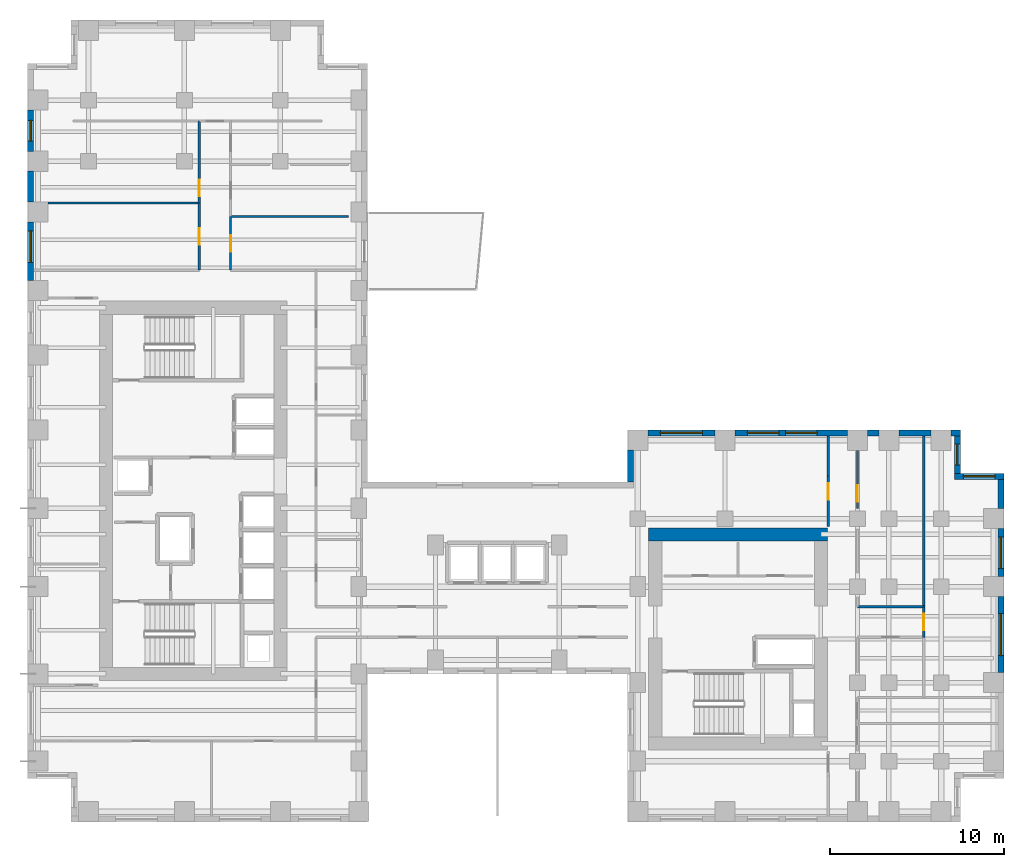
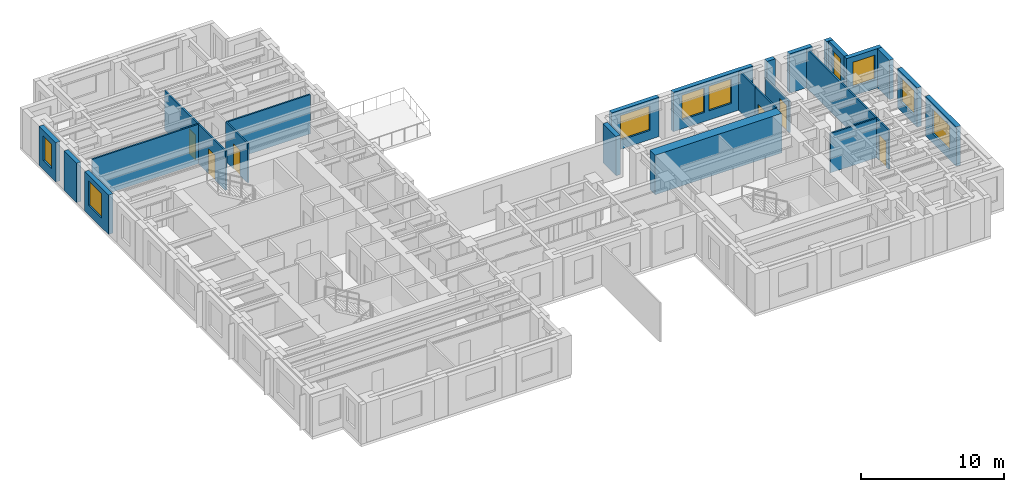
# One storey, part 8 of 11: 26 walls, 9 windows, 6 doors, 15 openings.
"""IFC4 building model written with IfcOpenShell, lengths in metres."""

from ifc_helpers import new_model, si_unit, direction, frame, frame_2d, origin, place, context, subcontext, project, spatial, rectangle, extrude, source, transform, mapped, material, layer, layer_set, type_object, element, fill, save


model = new_model("IFC4")

# Units and contexts
model_context = context("Model", 3, precision=1e-05, world=origin(), true_north=direction((0.0, 1.0)))
body_context = subcontext(model_context, "Body", "Model", "MODEL_VIEW")
ifc_project = project(units=[si_unit("LENGTHUNIT", "METRE"), si_unit("AREAUNIT", "SQUARE_METRE"), si_unit("VOLUMEUNIT", "CUBIC_METRE"), si_unit("PLANEANGLEUNIT", "RADIAN"), si_unit("MASSUNIT", "GRAM", prefix="KILO")], contexts=[model_context])

# Site, building, storey
site_placement = place(None, origin())
site = spatial("IfcSite", under=ifc_project, at=site_placement, CompositionType="ELEMENT")
building_placement = place(site_placement, origin())
building = spatial("IfcBuilding", under=site, at=building_placement, Name="Kharzan Plaza Tower", CompositionType="ELEMENT")
storey_placement = place(building_placement, frame((0.0, 0.0, 127.800048828125)))
storey = spatial("IfcBuildingStorey", under=building, at=storey_placement, Name="L34", CompositionType="ELEMENT", Elevation=127.800048828125)

# Wall, opening, window
ifc_material_1 = material(Name="Concrete C40/50", Category="concrete")
ifc_layer_1 = layer(ifc_material_1, 0.35009765625)
ifc_layer_set_1 = layer_set([ifc_layer_1], Name="Concrete C40/50")
wall_type_1 = type_object("IfcWallType", Name="WL-EXT-MAS-Z2", PredefinedType="SOLIDWALL", material=ifc_layer_set_1)
wall_1_placement = place(storey_placement, frame((0.175048828125, 40.826904296875, 0.0), z_axis=(0.0, 0.0, 1.0), x_axis=(0.0, -1.0, 0.0)))
wall_1 = element("IfcWall", 1, at=wall_1_placement, inside=storey, type_object=wall_type_1, Name="L34 Masonry-Frame Exterior Wall 17", PredefinedType="SOLIDWALL", context=body_context, shape_type="SweptSolid", body=[
    extrude(rectangle(XDim=2.35400390625, YDim=0.35009765625, at=frame_2d((1.177001953125, 0.0))), origin(), (0.0, 0.0, 1.0), 3.364990234375),
])
opening_1_placement = place(wall_1_placement, frame((0.576904296875, 0.0, 0.780029296875)))
opening_1 = element("IfcOpeningElement", 2, at=opening_1_placement, cuts=wall_1, Name="Opening W3", PredefinedType="OPENING", context=body_context, shape_type="SweptSolid", body=[
    extrude(rectangle(XDim=1.199951171875, YDim=2.10009765625, at=frame_2d((0.60009765625, 1.050048828125))), frame((0.0, 0.18505859375, 0.0), z_axis=(0.0, -1.0, 0.0), x_axis=(1.0, 0.0, 0.0)), (0.0, 0.0, 1.0), 0.3701171875),
])
ifc_material_2 = material(Name="Low-E Double Glazing", Category="glass")
window_type_1 = type_object("IfcWindowType", Name="WN-REC-1200x2100", PartitioningType="SINGLE_PANEL", PredefinedType="WINDOW", material=ifc_material_2)
shared_shape_1 = source(origin(), body_context, "Body", "SweptSolid", [
    extrude(rectangle(XDim=1.199951171875, YDim=2.10009765625, at=frame_2d((0.60009765625, 1.050048828125))), frame((0.0, 0.030029296875, 0.0), z_axis=(0.0, -1.0, 0.0), x_axis=(1.0, 0.0, 0.0)), (0.0, 0.0, 1.0), 0.06005859375),
])
window_1_placement = place(opening_1_placement, origin())
window_1 = element("IfcWindow", 3, at=window_1_placement, inside=storey, type_object=window_type_1, Name="L34 Recessed Solar-Control Window 17-1", OverallHeight=2.10009765625, OverallWidth=1.199951171875, PartitioningType="SINGLE_PANEL", PredefinedType="WINDOW", context=body_context, shape_type="MappedRepresentation", body=[
    mapped(shared_shape_1, transform((0.0, 0.0, 0.0), x_axis=(1.0, 0.0, 0.0), y_axis=(0.0, 1.0, 0.0), z_axis=(0.0, 0.0, 1.0))),
])
fill(opening_1, window_1)

wall_2_placement = place(storey_placement, frame((0.175048828125, 34.427001953125, 0.0), z_axis=(0.0, 0.0, 1.0), x_axis=(0.0, -1.0, 0.0)))
wall_2 = element("IfcWall", 4, at=wall_2_placement, inside=storey, type_object=wall_type_1, Name="L34 Masonry-Frame Exterior Wall 19", PredefinedType="SOLIDWALL", context=body_context, shape_type="SweptSolid", body=[
    extrude(rectangle(XDim=3.35400390625, YDim=0.35009765625, at=frame_2d((1.677001953125, 0.0))), origin(), (0.0, 0.0, 1.0), 3.364990234375),
])
opening_2_placement = place(wall_2_placement, frame((0.5234375, 0.0, 0.780029296875)))
opening_2 = element("IfcOpeningElement", 5, at=opening_2_placement, cuts=wall_2, Name="Opening W1", PredefinedType="OPENING", context=body_context, shape_type="SweptSolid", body=[
    extrude(rectangle(XDim=1.800048828125, YDim=2.10009765625, at=frame_2d((0.89990234375, 1.050048828125))), frame((0.0, 0.18505859375, 0.0), z_axis=(0.0, -1.0, 0.0), x_axis=(1.0, 0.0, 0.0)), (0.0, 0.0, 1.0), 0.3701171875),
])
window_type_2 = type_object("IfcWindowType", Name="WN-REC-1800x2100", PartitioningType="SINGLE_PANEL", PredefinedType="WINDOW", material=ifc_material_2)
shared_shape_2 = source(origin(), body_context, "Body", "SweptSolid", [
    extrude(rectangle(XDim=1.800048828125, YDim=2.10009765625, at=frame_2d((0.89990234375, 1.050048828125))), frame((0.0, 0.030029296875, 0.0), z_axis=(0.0, -1.0, 0.0), x_axis=(1.0, 0.0, 0.0)), (0.0, 0.0, 1.0), 0.06005859375),
])
window_2_placement = place(opening_2_placement, origin())
window_2 = element("IfcWindow", 6, at=window_2_placement, inside=storey, type_object=window_type_2, Name="L34 Recessed Solar-Control Window 19-1", OverallHeight=2.10009765625, OverallWidth=1.800048828125, PartitioningType="SINGLE_PANEL", PredefinedType="WINDOW", context=body_context, shape_type="MappedRepresentation", body=[
    mapped(shared_shape_2, transform((0.0, 0.0, 0.0), x_axis=(1.0, 0.0, 0.0), y_axis=(0.0, 1.0, 0.0), z_axis=(0.0, 0.0, 1.0))),
])
fill(opening_2, window_2)

wall_3_placement = place(storey_placement, frame((55.824951171875, 8.572998046875, 0.0), z_axis=(0.0, 0.0, 1.0), x_axis=(0.0, 1.0, 0.0)))
wall_3 = element("IfcWall", 7, at=wall_3_placement, inside=storey, type_object=wall_type_1, Name="L34 Masonry-Frame Exterior Wall 47", PredefinedType="SOLIDWALL", context=body_context, shape_type="SweptSolid", body=[
    extrude(rectangle(XDim=4.35400390625, YDim=0.35009765625, at=frame_2d((2.177001953125, 0.0))), origin(), (0.0, 0.0, 1.0), 3.364990234375),
])
opening_3_placement = place(wall_3_placement, frame((0.97705078125, 0.0, 0.780029296875)))
opening_3 = element("IfcOpeningElement", 8, at=opening_3_placement, cuts=wall_3, Name="Opening W2", PredefinedType="OPENING", context=body_context, shape_type="SweptSolid", body=[
    extrude(rectangle(XDim=2.39990234375, YDim=2.10009765625, at=frame_2d((1.199951171875, 1.050048828125))), frame((0.0, 0.18505859375, 0.0), z_axis=(0.0, -1.0, 0.0), x_axis=(1.0, 0.0, 0.0)), (0.0, 0.0, 1.0), 0.3701171875),
])
window_type_3 = type_object("IfcWindowType", Name="WN-REC-2400x2100", PartitioningType="SINGLE_PANEL", PredefinedType="WINDOW", material=ifc_material_2)
shared_shape_3 = source(origin(), body_context, "Body", "SweptSolid", [
    extrude(rectangle(XDim=2.39990234375, YDim=2.10009765625, at=frame_2d((1.199951171875, 1.050048828125))), frame((0.0, 0.030029296875, 0.0), z_axis=(0.0, -1.0, 0.0), x_axis=(1.0, 0.0, 0.0)), (0.0, 0.0, 1.0), 0.06005859375),
])
window_3_placement = place(opening_3_placement, origin())
window_3 = element("IfcWindow", 9, at=window_3_placement, inside=storey, type_object=window_type_3, Name="L34 Wide Recessed Solar-Control Window 47-1", OverallHeight=2.10009765625, OverallWidth=2.39990234375, PartitioningType="SINGLE_PANEL", PredefinedType="WINDOW", context=body_context, shape_type="MappedRepresentation", body=[
    mapped(shared_shape_3, transform((0.0, 0.0, 0.0), x_axis=(1.0, 0.0, 0.0), y_axis=(0.0, 1.0, 0.0), z_axis=(0.0, 0.0, 1.0))),
])
fill(opening_3, window_3)

wall_4_placement = place(storey_placement, frame((55.824951171875, 14.072998046875, 0.0), z_axis=(0.0, 0.0, 1.0), x_axis=(0.0, 1.0, 0.0)))
wall_4 = element("IfcWall", 10, at=wall_4_placement, inside=storey, type_object=wall_type_1, Name="L34 Masonry-Frame Exterior Wall 48", PredefinedType="SOLIDWALL", context=body_context, shape_type="SweptSolid", body=[
    extrude(rectangle(XDim=2.75390625, YDim=0.35009765625, at=frame_2d((1.376953125, 0.0))), origin(), (0.0, 0.0, 1.0), 3.364990234375),
])
opening_4_placement = place(wall_4_placement, frame((0.47705078125, 0.0, 0.780029296875)))
opening_4 = element("IfcOpeningElement", 11, at=opening_4_placement, cuts=wall_4, Name="Opening W1", PredefinedType="OPENING", context=body_context, shape_type="SweptSolid", body=[
    extrude(rectangle(XDim=1.800048828125, YDim=2.10009765625, at=frame_2d((0.89990234375, 1.050048828125))), frame((0.0, 0.18505859375, 0.0), z_axis=(0.0, -1.0, 0.0), x_axis=(1.0, 0.0, 0.0)), (0.0, 0.0, 1.0), 0.3701171875),
])
window_4_placement = place(opening_4_placement, origin())
window_4 = element("IfcWindow", 12, at=window_4_placement, inside=storey, type_object=window_type_2, Name="L34 Recessed Solar-Control Window 48-1", OverallHeight=2.10009765625, OverallWidth=1.800048828125, PartitioningType="SINGLE_PANEL", PredefinedType="WINDOW", context=body_context, shape_type="MappedRepresentation", body=[
    mapped(shared_shape_2, transform((0.0, 0.0, 0.0), x_axis=(1.0, 0.0, 0.0), y_axis=(0.0, 1.0, 0.0), z_axis=(0.0, 0.0, 1.0))),
])
fill(opening_4, window_4)

wall_5_placement = place(storey_placement, frame((56.0, 19.824951171875, 0.0), z_axis=(0.0, 0.0, 1.0), x_axis=(-1.0, 0.0, 0.0)))
wall_5 = element("IfcWall", 13, at=wall_5_placement, inside=storey, type_object=wall_type_1, Name="L34 Masonry-Frame Exterior Wall 50", PredefinedType="SOLIDWALL", context=body_context, shape_type="SweptSolid", body=[
    extrude(rectangle(XDim=2.85009765625, YDim=0.35009765625, at=frame_2d((1.425048828125, 0.0))), origin(), (0.0, 0.0, 1.0), 3.364990234375),
])
opening_5_placement = place(wall_5_placement, frame((0.52490234375, 0.0, 0.780029296875)))
opening_5 = element("IfcOpeningElement", 14, at=opening_5_placement, cuts=wall_5, Name="Opening W1", PredefinedType="OPENING", context=body_context, shape_type="SweptSolid", body=[
    extrude(rectangle(XDim=1.800048828125, YDim=2.10009765625, at=frame_2d((0.89990234375, 1.050048828125))), frame((0.0, 0.18505859375, 0.0), z_axis=(0.0, -1.0, 0.0), x_axis=(1.0, 0.0, 0.0)), (0.0, 0.0, 1.0), 0.3701171875),
])
window_5_placement = place(opening_5_placement, origin())
window_5 = element("IfcWindow", 15, at=window_5_placement, inside=storey, type_object=window_type_2, Name="L34 Recessed Solar-Control Window 50-1", OverallHeight=2.10009765625, OverallWidth=1.800048828125, PartitioningType="SINGLE_PANEL", PredefinedType="WINDOW", context=body_context, shape_type="MappedRepresentation", body=[
    mapped(shared_shape_2, transform((0.0, 0.0, 0.0), x_axis=(1.0, 0.0, 0.0), y_axis=(0.0, 1.0, 0.0), z_axis=(0.0, 0.0, 1.0))),
])
fill(opening_5, window_5)

wall_6_placement = place(storey_placement, frame((53.324951171875, 19.998046875, 0.0), z_axis=(0.0, 0.0, 1.0), x_axis=(0.0, 1.0, 0.0)))
wall_6 = element("IfcWall", 16, at=wall_6_placement, inside=storey, type_object=wall_type_1, Name="L34 Masonry-Frame Exterior Wall 51", PredefinedType="SOLIDWALL", context=body_context, shape_type="SweptSolid", body=[
    extrude(rectangle(XDim=2.154052734375, YDim=0.35009765625, at=frame_2d((1.0771484375, 0.0))), origin(), (0.0, 0.0, 1.0), 3.364990234375),
])
opening_6_placement = place(wall_6_placement, frame((0.47705078125, 0.0, 0.780029296875)))
opening_6 = element("IfcOpeningElement", 17, at=opening_6_placement, cuts=wall_6, Name="Opening W3", PredefinedType="OPENING", context=body_context, shape_type="SweptSolid", body=[
    extrude(rectangle(XDim=1.199951171875, YDim=2.10009765625, at=frame_2d((0.60009765625, 1.050048828125))), frame((0.0, 0.18505859375, 0.0), z_axis=(0.0, -1.0, 0.0), x_axis=(1.0, 0.0, 0.0)), (0.0, 0.0, 1.0), 0.3701171875),
])
window_6_placement = place(opening_6_placement, origin())
window_6 = element("IfcWindow", 18, at=window_6_placement, inside=storey, type_object=window_type_1, Name="L34 Recessed Solar-Control Window 51-1", OverallHeight=2.10009765625, OverallWidth=1.199951171875, PartitioningType="SINGLE_PANEL", PredefinedType="WINDOW", context=body_context, shape_type="MappedRepresentation", body=[
    mapped(shared_shape_1, transform((0.0, 0.0, 0.0), x_axis=(1.0, 0.0, 0.0), y_axis=(0.0, 1.0, 0.0), z_axis=(0.0, 0.0, 1.0))),
])
fill(opening_6, window_6)

# Wall, openings, windows
wall_7_placement = place(storey_placement, frame((47.027099609375, 22.324951171875, 0.0), z_axis=(0.0, 0.0, 1.0), x_axis=(-1.0, 0.0, 0.0)))
wall_7 = element("IfcWall", 19, at=wall_7_placement, inside=storey, type_object=wall_type_1, Name="L34 Masonry-Frame Exterior Wall 55", PredefinedType="SOLIDWALL", context=body_context, shape_type="SweptSolid", body=[
    extrude(rectangle(XDim=6.4541015625, YDim=0.35009765625, at=frame_2d((3.22705078125, 0.0))), origin(), (0.0, 0.0, 1.0), 3.364990234375),
])
opening_7_placement = place(wall_7_placement, frame((1.749267578125, 0.0, 0.780029296875)))
opening_7 = element("IfcOpeningElement", 20, at=opening_7_placement, cuts=wall_7, Name="Opening W1", PredefinedType="OPENING", context=body_context, shape_type="SweptSolid", body=[
    extrude(rectangle(XDim=1.800048828125, YDim=2.10009765625, at=frame_2d((0.89990234375, 1.050048828125))), frame((0.0, 0.18505859375, 0.0), z_axis=(0.0, -1.0, 0.0), x_axis=(1.0, 0.0, 0.0)), (0.0, 0.0, 1.0), 0.3701171875),
])
opening_8_placement = place(wall_7_placement, frame((3.941650390625, 0.0, 0.780029296875)))
opening_8 = element("IfcOpeningElement", 21, at=opening_8_placement, cuts=wall_7, Name="Opening W1", PredefinedType="OPENING", context=body_context, shape_type="SweptSolid", body=[
    extrude(rectangle(XDim=1.800048828125, YDim=2.10009765625, at=frame_2d((0.89990234375, 1.050048828125))), frame((0.0, 0.18505859375, 0.0), z_axis=(0.0, -1.0, 0.0), x_axis=(1.0, 0.0, 0.0)), (0.0, 0.0, 1.0), 0.3701171875),
])
window_7_placement = place(opening_7_placement, origin())
window_7 = element("IfcWindow", 22, at=window_7_placement, inside=storey, type_object=window_type_2, Name="L34 Recessed Solar-Control Window 55-1", OverallHeight=2.10009765625, OverallWidth=1.800048828125, PartitioningType="SINGLE_PANEL", PredefinedType="WINDOW", context=body_context, shape_type="MappedRepresentation", body=[
    mapped(shared_shape_2, transform((0.0, 0.0, 0.0), x_axis=(1.0, 0.0, 0.0), y_axis=(0.0, 1.0, 0.0), z_axis=(0.0, 0.0, 1.0))),
])
fill(opening_7, window_7)
window_8_placement = place(opening_8_placement, origin())
window_8 = element("IfcWindow", 23, at=window_8_placement, inside=storey, type_object=window_type_2, Name="L34 Recessed Solar-Control Window 55-2", OverallHeight=2.10009765625, OverallWidth=1.800048828125, PartitioningType="SINGLE_PANEL", PredefinedType="WINDOW", context=body_context, shape_type="MappedRepresentation", body=[
    mapped(shared_shape_2, transform((0.0, 0.0, 0.0), x_axis=(1.0, 0.0, 0.0), y_axis=(0.0, 1.0, 0.0), z_axis=(0.0, 0.0, 1.0))),
])
fill(opening_8, window_8)

# Wall, opening, window
wall_8_placement = place(storey_placement, frame((39.427001953125, 22.324951171875, 0.0), z_axis=(0.0, 0.0, 1.0), x_axis=(-1.0, 0.0, 0.0)))
wall_8 = element("IfcWall", 24, at=wall_8_placement, inside=storey, type_object=wall_type_1, Name="L34 Masonry-Frame Exterior Wall 56", PredefinedType="SOLIDWALL", context=body_context, shape_type="SweptSolid", body=[
    extrude(rectangle(XDim=3.85400390625, YDim=0.35009765625, at=frame_2d((1.927001953125, 0.0))), origin(), (0.0, 0.0, 1.0), 3.364990234375),
])
opening_9_placement = place(wall_8_placement, frame((0.72705078125, 0.0, 0.780029296875)))
opening_9 = element("IfcOpeningElement", 25, at=opening_9_placement, cuts=wall_8, Name="Opening W2", PredefinedType="OPENING", context=body_context, shape_type="SweptSolid", body=[
    extrude(rectangle(XDim=2.39990234375, YDim=2.10009765625, at=frame_2d((1.199951171875, 1.050048828125))), frame((0.0, 0.18505859375, 0.0), z_axis=(0.0, -1.0, 0.0), x_axis=(1.0, 0.0, 0.0)), (0.0, 0.0, 1.0), 0.3701171875),
])
window_9_placement = place(opening_9_placement, origin())
window_9 = element("IfcWindow", 26, at=window_9_placement, inside=storey, type_object=window_type_3, Name="L34 Wide Recessed Solar-Control Window 56-1", OverallHeight=2.10009765625, OverallWidth=2.39990234375, PartitioningType="SINGLE_PANEL", PredefinedType="WINDOW", context=body_context, shape_type="MappedRepresentation", body=[
    mapped(shared_shape_3, transform((0.0, 0.0, 0.0), x_axis=(1.0, 0.0, 0.0), y_axis=(0.0, 1.0, 0.0), z_axis=(0.0, 0.0, 1.0))),
])
fill(opening_9, window_9)

# Wall, opening, door
ifc_material_3 = material(Name="Fire-Rated Gypsum Board Partition", Category="gypsum")
ifc_layer_2 = layer(ifc_material_3, 0.125)
ifc_layer_set_2 = layer_set([ifc_layer_2], Name="Fire-Rated Gypsum Board Partition")
wall_type_2 = type_object("IfcWallType", Name="WL-INT-PART-125", PredefinedType="PARTITIONING", material=ifc_layer_set_2)
wall_9_placement = place(storey_placement, frame((51.39990234375, 10.60009765625, 0.0), z_axis=(0.0, 0.0, 1.0), x_axis=(0.0, 1.0, 0.0)))
wall_9 = element("IfcWall", 27, at=wall_9_placement, inside=storey, type_object=wall_type_2, Name="L34 Interior Partition SH-B2E2", PredefinedType="PARTITIONING", context=body_context, shape_type="SweptSolid", body=[
    extrude(rectangle(XDim=1.75, YDim=0.125, at=frame_2d((0.875, 0.0))), origin(), (0.0, 0.0, 1.0), 3.364990234375),
])
opening_10_placement = place(wall_9_placement, frame((0.39990234375, 0.0, 0.0)))
opening_10 = element("IfcOpeningElement", 28, at=opening_10_placement, cuts=wall_9, Name="Opening OD1", PredefinedType="OPENING", context=body_context, shape_type="SweptSolid", body=[
    extrude(rectangle(XDim=0.949951171875, YDim=2.14990234375, at=frame_2d((0.47509765625, 1.074951171875))), frame((0.0, 0.072509765625, 0.0), z_axis=(0.0, -1.0, 0.0), x_axis=(1.0, 0.0, 0.0)), (0.0, 0.0, 1.0), 0.14501953125),
])
ifc_material_4 = material(Name="Acoustic Solid-Core Stained Oak", Category="timber")
door_type = type_object("IfcDoorType", Name="DR-OFF-SINGLE", OperationType="NOTDEFINED", PredefinedType="DOOR", material=ifc_material_4)
shared_shape_4 = source(origin(), body_context, "Body", "SweptSolid", [
    extrude(rectangle(XDim=0.949951171875, YDim=2.14990234375, at=frame_2d((0.47509765625, 1.074951171875))), frame((0.0, 0.02490234375, 0.0), z_axis=(0.0, -1.0, 0.0), x_axis=(1.0, 0.0, 0.0)), (0.0, 0.0, 1.0), 0.050048828125),
])
door_1_placement = place(opening_10_placement, origin())
door_1 = element("IfcDoor", 29, at=door_1_placement, inside=storey, type_object=door_type, Name="L34 East Boardroom Door", OperationType="SINGLE_SWING_RIGHT", OverallHeight=2.14990234375, OverallWidth=0.949951171875, PredefinedType="DOOR", context=body_context, shape_type="MappedRepresentation", body=[
    mapped(shared_shape_4, transform((0.0, 0.0, 0.0), x_axis=(1.0, 0.0, 0.0), y_axis=(0.0, 1.0, 0.0), z_axis=(0.0, 0.0, 1.0))),
])
fill(opening_10, door_1)

wall_10_placement = place(storey_placement, frame((47.60009765625, 17.989990234375, 0.0), z_axis=(0.0, 0.0, 1.0), x_axis=(0.0, 1.0, 0.0)))
wall_10 = element("IfcWall", 30, at=wall_10_placement, inside=storey, type_object=wall_type_2, Name="L34 Interior Partition SH-B2W3D-S2", PredefinedType="PARTITIONING", context=body_context, shape_type="SweptSolid", body=[
    extrude(rectangle(XDim=3.320068359375, YDim=0.125, at=frame_2d((1.66015625, 0.0))), origin(), (0.0, 0.0, 1.0), 2.677001953125),
])
opening_11_placement = place(wall_10_placement, frame((0.381103515625, 0.0, 0.0)))
opening_11 = element("IfcOpeningElement", 31, at=opening_11_placement, cuts=wall_10, Name="Opening OD1", PredefinedType="OPENING", context=body_context, shape_type="SweptSolid", body=[
    extrude(rectangle(XDim=0.949951171875, YDim=2.14990234375, at=frame_2d((0.47509765625, 1.074951171875))), frame((0.0, 0.072509765625, 0.0), z_axis=(0.0, -1.0, 0.0), x_axis=(1.0, 0.0, 0.0)), (0.0, 0.0, 1.0), 0.14501953125),
])
door_2_placement = place(opening_11_placement, origin())
door_2 = element("IfcDoor", 32, at=door_2_placement, inside=storey, type_object=door_type, Name="L34 Spur North Office Door", OperationType="SINGLE_SWING_RIGHT", OverallHeight=2.14990234375, OverallWidth=0.949951171875, PredefinedType="DOOR", context=body_context, shape_type="MappedRepresentation", body=[
    mapped(shared_shape_4, transform((0.0, 0.0, 0.0), x_axis=(1.0, 0.0, 0.0), y_axis=(0.0, 1.0, 0.0), z_axis=(0.0, 0.0, 1.0))),
])
fill(opening_11, door_2)

wall_11_placement = place(storey_placement, frame((45.919921875, 16.949951171875, 0.0), z_axis=(0.0, 0.0, 1.0), x_axis=(0.0, 1.0, 0.0)))
wall_11 = element("IfcWall", 33, at=wall_11_placement, inside=storey, type_object=wall_type_2, Name="L34 Interior Partition SH-RBNE", PredefinedType="PARTITIONING", context=body_context, shape_type="SweptSolid", body=[
    extrude(rectangle(XDim=2.900146484375, YDim=0.125, at=frame_2d((1.4501953125, 0.0))), origin(), (0.0, 0.0, 1.0), 3.364990234375),
])
opening_12_placement = place(wall_11_placement, frame((1.54296875, 0.0, 0.0)))
opening_12 = element("IfcOpeningElement", 34, at=opening_12_placement, cuts=wall_11, Name="Opening OD1", PredefinedType="OPENING", context=body_context, shape_type="SweptSolid", body=[
    extrude(rectangle(XDim=0.949951171875, YDim=2.14990234375, at=frame_2d((0.47509765625, 1.074951171875))), frame((0.0, 0.072509765625, 0.0), z_axis=(0.0, -1.0, 0.0), x_axis=(1.0, 0.0, 0.0)), (0.0, 0.0, 1.0), 0.14501953125),
])
door_3_placement = place(opening_12_placement, origin())
door_3 = element("IfcDoor", 35, at=door_3_placement, inside=storey, type_object=door_type, Name="L34 Wing B North Studio Door", OperationType="SINGLE_SWING_RIGHT", OverallHeight=2.14990234375, OverallWidth=0.949951171875, PredefinedType="DOOR", context=body_context, shape_type="MappedRepresentation", body=[
    mapped(shared_shape_4, transform((0.0, 0.0, 0.0), x_axis=(1.0, 0.0, 0.0), y_axis=(0.0, 1.0, 0.0), z_axis=(0.0, 0.0, 1.0))),
])
fill(opening_12, door_3)

wall_12_placement = place(storey_placement, frame((11.64990234375, 31.64990234375, 0.0), z_axis=(0.0, 0.0, 1.0), x_axis=(0.0, 1.0, 0.0)))
wall_12 = element("IfcWall", 36, at=wall_12_placement, inside=storey, type_object=wall_type_2, Name="L34 Interior Partition SH-SPE-1", PredefinedType="PARTITIONING", context=body_context, shape_type="SweptSolid", body=[
    extrude(rectangle(XDim=3.078125, YDim=0.125, at=frame_2d((1.5390625, 0.0))), origin(), (0.0, 0.0, 1.0), 3.364990234375),
])
opening_13_placement = place(wall_12_placement, frame((1.06396484375, 0.0, 0.0)))
opening_13 = element("IfcOpeningElement", 37, at=opening_13_placement, cuts=wall_12, Name="Opening OD1", PredefinedType="OPENING", context=body_context, shape_type="SweptSolid", body=[
    extrude(rectangle(XDim=0.949951171875, YDim=2.14990234375, at=frame_2d((0.47509765625, 1.074951171875))), frame((0.0, 0.072509765625, 0.0), z_axis=(0.0, -1.0, 0.0), x_axis=(1.0, 0.0, 0.0)), (0.0, 0.0, 1.0), 0.14501953125),
])
door_4_placement = place(opening_13_placement, origin())
door_4 = element("IfcDoor", 38, at=door_4_placement, inside=storey, type_object=door_type, Name="L34 Cybersecurity Operations Office Door", OperationType="SINGLE_SWING_RIGHT", OverallHeight=2.14990234375, OverallWidth=0.949951171875, PredefinedType="DOOR", context=body_context, shape_type="MappedRepresentation", body=[
    mapped(shared_shape_4, transform((0.0, 0.0, 0.0), x_axis=(1.0, 0.0, 0.0), y_axis=(0.0, 1.0, 0.0), z_axis=(0.0, 0.0, 1.0))),
])
fill(opening_13, door_4)

wall_13_placement = place(storey_placement, frame((9.85009765625, 31.64990234375, 0.0), z_axis=(0.0, 0.0, 1.0), x_axis=(0.0, 1.0, 0.0)))
wall_13 = element("IfcWall", 39, at=wall_13_placement, inside=storey, type_object=wall_type_2, Name="L34 Interior Partition SH-SPW-1", PredefinedType="PARTITIONING", context=body_context, shape_type="SweptSolid", body=[
    extrude(rectangle(XDim=3.84814453125, YDim=0.125, at=frame_2d((1.924072265625, 0.0))), origin(), (0.0, 0.0, 1.0), 3.364990234375),
])
opening_14_placement = place(wall_13_placement, frame((1.448974609375, 0.0, 0.0)))
opening_14 = element("IfcOpeningElement", 40, at=opening_14_placement, cuts=wall_13, Name="Opening OD1", PredefinedType="OPENING", context=body_context, shape_type="SweptSolid", body=[
    extrude(rectangle(XDim=0.949951171875, YDim=2.14990234375, at=frame_2d((0.47509765625, 1.074951171875))), frame((0.0, 0.072509765625, 0.0), z_axis=(0.0, -1.0, 0.0), x_axis=(1.0, 0.0, 0.0)), (0.0, 0.0, 1.0), 0.14501953125),
])
door_5_placement = place(opening_14_placement, origin())
door_5 = element("IfcDoor", 41, at=door_5_placement, inside=storey, type_object=door_type, Name="L34 Sprint Review Meeting Room Door", OperationType="SINGLE_SWING_RIGHT", OverallHeight=2.14990234375, OverallWidth=0.949951171875, PredefinedType="DOOR", context=body_context, shape_type="MappedRepresentation", body=[
    mapped(shared_shape_4, transform((0.0, 0.0, 0.0), x_axis=(1.0, 0.0, 0.0), y_axis=(0.0, 1.0, 0.0), z_axis=(0.0, 0.0, 1.0))),
])
fill(opening_14, door_5)

wall_14_placement = place(storey_placement, frame((9.85009765625, 35.498046875, 0.0), z_axis=(0.0, 0.0, 1.0), x_axis=(0.0, 1.0, 0.0)))
wall_14 = element("IfcWall", 42, at=wall_14_placement, inside=storey, type_object=wall_type_2, Name="L34 Interior Partition SH-SPW-2", PredefinedType="PARTITIONING", context=body_context, shape_type="SweptSolid", body=[
    extrude(rectangle(XDim=4.701904296875, YDim=0.125, at=frame_2d((2.35107421875, 0.0))), origin(), (0.0, 0.0, 1.0), 3.364990234375),
])
opening_15_placement = place(wall_14_placement, frame((0.39208984375, 0.0, 0.0)))
opening_15 = element("IfcOpeningElement", 43, at=opening_15_placement, cuts=wall_14, Name="Opening OD1", PredefinedType="OPENING", context=body_context, shape_type="SweptSolid", body=[
    extrude(rectangle(XDim=0.949951171875, YDim=2.14990234375, at=frame_2d((0.47509765625, 1.074951171875))), frame((0.0, 0.072509765625, 0.0), z_axis=(0.0, -1.0, 0.0), x_axis=(1.0, 0.0, 0.0)), (0.0, 0.0, 1.0), 0.14501953125),
])
door_6_placement = place(opening_15_placement, origin())
door_6 = element("IfcDoor", 44, at=door_6_placement, inside=storey, type_object=door_type, Name="L34 Staff Tea Pantry Door", OperationType="SINGLE_SWING_LEFT", OverallHeight=2.14990234375, OverallWidth=0.949951171875, PredefinedType="DOOR", context=body_context, shape_type="MappedRepresentation", body=[
    mapped(shared_shape_4, transform((0.0, 0.0, 0.0), x_axis=(1.0, 0.0, 0.0), y_axis=(0.0, 1.0, 0.0), z_axis=(0.0, 0.0, 1.0))),
])
fill(opening_15, door_6)

# Walls
shared_shape_5 = source(origin(), body_context, "Body", "SweptSolid", [
    extrude(rectangle(XDim=2.2978515625, YDim=0.125, at=frame_2d((1.14892578125, 0.0))), origin(), (0.0, 0.0, 1.0), 3.364990234375),
])
wall_15_placement = place(storey_placement, frame((45.919921875, 19.85009765625, 0.0), z_axis=(0.0, 0.0, 1.0), x_axis=(0.0, 1.0, 0.0)))
element("IfcWall", 45, at=wall_15_placement, inside=storey, type_object=wall_type_2, Name="L34 Interior Partition SH-RBNE0", PredefinedType="PARTITIONING", context=body_context, shape_type="MappedRepresentation", body=[
    mapped(shared_shape_5, transform((0.0, 0.0, 0.0), x_axis=(1.0, 0.0, 0.0), y_axis=(0.0, 1.0, 0.0), z_axis=(0.0, 0.0, 1.0))),
])
shared_shape_6 = source(origin(), body_context, "Body", "SweptSolid", [
    extrude(rectangle(XDim=3.7998046875, YDim=0.125, at=frame_2d((1.89990234375, 0.0))), origin(), (0.0, 0.0, 1.0), 3.364990234375),
])
wall_16_placement = place(storey_placement, frame((47.60009765625, 12.35009765625, 0.0), z_axis=(0.0, 0.0, 1.0), x_axis=(1.0, 0.0, 0.0)))
element("IfcWall", 46, at=wall_16_placement, inside=storey, type_object=wall_type_2, Name="L34 Interior Partition SH-B2N3", PredefinedType="PARTITIONING", context=body_context, shape_type="MappedRepresentation", body=[
    mapped(shared_shape_6, transform((0.0, 0.0, 0.0), x_axis=(1.0, 0.0, 0.0), y_axis=(0.0, 1.0, 0.0), z_axis=(0.0, 0.0, 1.0))),
])
shared_shape_7 = source(origin(), body_context, "Body", "SweptSolid", [
    extrude(rectangle(XDim=9.789794921875, YDim=0.125, at=frame_2d((4.89501953125, 0.0))), origin(), (0.0, 0.0, 1.0), 3.364990234375),
])
wall_17_placement = place(storey_placement, frame((51.39990234375, 12.35009765625, 0.0), z_axis=(0.0, 0.0, 1.0), x_axis=(0.0, 1.0, 0.0)))
element("IfcWall", 47, at=wall_17_placement, inside=storey, type_object=wall_type_2, Name="L34 Interior Partition SH-B2V2", PredefinedType="PARTITIONING", context=body_context, shape_type="MappedRepresentation", body=[
    mapped(shared_shape_7, transform((0.0, 0.0, 0.0), x_axis=(1.0, 0.0, 0.0), y_axis=(0.0, 1.0, 0.0), z_axis=(0.0, 0.0, 1.0))),
])
shared_shape_8 = source(origin(), body_context, "Body", "SweptSolid", [
    extrude(rectangle(XDim=1.75390625, YDim=0.35009765625, at=frame_2d((0.876953125, 0.0))), origin(), (0.0, 0.0, 1.0), 3.364990234375),
])
wall_18_placement = place(storey_placement, frame((0.175048828125, 37.326904296875, 0.0), z_axis=(0.0, 0.0, 1.0), x_axis=(0.0, -1.0, 0.0)))
element("IfcWall", 48, at=wall_18_placement, inside=storey, type_object=wall_type_1, Name="L34 Masonry-Frame Exterior Wall 18", PredefinedType="SOLIDWALL", context=body_context, shape_type="MappedRepresentation", body=[
    mapped(shared_shape_8, transform((0.0, 0.0, 0.0), x_axis=(1.0, 0.0, 0.0), y_axis=(0.0, 1.0, 0.0), z_axis=(0.0, 0.0, 1.0))),
])
shared_shape_9 = source(origin(), body_context, "Body", "SweptSolid", [
    extrude(rectangle(XDim=0.65380859375, YDim=0.35009765625, at=frame_2d((0.326904296875, 0.0))), origin(), (0.0, 0.0, 1.0), 3.364990234375),
])
wall_19_placement = place(storey_placement, frame((48.826904296875, 22.324951171875, 0.0), z_axis=(0.0, 0.0, 1.0), x_axis=(-1.0, 0.0, 0.0)))
element("IfcWall", 49, at=wall_19_placement, inside=storey, type_object=wall_type_1, Name="L34 Masonry-Frame Exterior Wall 54", PredefinedType="SOLIDWALL", context=body_context, shape_type="MappedRepresentation", body=[
    mapped(shared_shape_9, transform((0.0, 0.0, 0.0), x_axis=(1.0, 0.0, 0.0), y_axis=(0.0, 1.0, 0.0), z_axis=(0.0, 0.0, 1.0))),
])
shared_shape_10 = source(origin(), body_context, "Body", "SweptSolid", [
    extrude(rectangle(XDim=1.85400390625, YDim=0.35009765625, at=frame_2d((0.927001953125, 0.0))), origin(), (0.0, 0.0, 1.0), 3.364990234375),
])
wall_20_placement = place(storey_placement, frame((51.826904296875, 22.324951171875, 0.0), z_axis=(0.0, 0.0, 1.0), x_axis=(-1.0, 0.0, 0.0)))
element("IfcWall", 50, at=wall_20_placement, inside=storey, type_object=wall_type_1, Name="L34 Masonry-Frame Exterior Wall 53", PredefinedType="SOLIDWALL", context=body_context, shape_type="MappedRepresentation", body=[
    mapped(shared_shape_10, transform((0.0, 0.0, 0.0), x_axis=(1.0, 0.0, 0.0), y_axis=(0.0, 1.0, 0.0), z_axis=(0.0, 0.0, 1.0))),
])
shared_shape_11 = source(origin(), body_context, "Body", "SweptSolid", [
    extrude(rectangle(XDim=0.527099609375, YDim=0.35009765625, at=frame_2d((0.263671875, 0.0))), origin(), (0.0, 0.0, 1.0), 3.364990234375),
])
wall_21_placement = place(storey_placement, frame((53.5, 22.324951171875, 0.0), z_axis=(0.0, 0.0, 1.0), x_axis=(-1.0, 0.0, 0.0)))
element("IfcWall", 51, at=wall_21_placement, inside=storey, type_object=wall_type_1, Name="L34 Masonry-Frame Exterior Wall 52", PredefinedType="SOLIDWALL", context=body_context, shape_type="MappedRepresentation", body=[
    mapped(shared_shape_11, transform((0.0, 0.0, 0.0), x_axis=(1.0, 0.0, 0.0), y_axis=(0.0, 1.0, 0.0), z_axis=(0.0, 0.0, 1.0))),
])
shared_shape_12 = source(origin(), body_context, "Body", "SweptSolid", [
    extrude(rectangle(XDim=1.67919921875, YDim=0.35009765625, at=frame_2d((0.839599609375, 0.0))), origin(), (0.0, 0.0, 1.0), 3.364990234375),
])
wall_22_placement = place(storey_placement, frame((55.824951171875, 17.972900390625, 0.0), z_axis=(0.0, 0.0, 1.0), x_axis=(0.0, 1.0, 0.0)))
element("IfcWall", 52, at=wall_22_placement, inside=storey, type_object=wall_type_1, Name="L34 Masonry-Frame Exterior Wall 49", PredefinedType="SOLIDWALL", context=body_context, shape_type="MappedRepresentation", body=[
    mapped(shared_shape_12, transform((0.0, 0.0, 0.0), x_axis=(1.0, 0.0, 0.0), y_axis=(0.0, 1.0, 0.0), z_axis=(0.0, 0.0, 1.0))),
])
shared_shape_13 = source(origin(), body_context, "Body", "SweptSolid", [
    extrude(rectangle(XDim=6.760009765625, YDim=0.125, at=frame_2d((3.3798828125, 0.0))), origin(), (0.0, 0.0, 1.0), 3.364990234375),
])
wall_23_placement = place(storey_placement, frame((11.64990234375, 34.72802734375, 0.0), z_axis=(0.0, 0.0, 1.0), x_axis=(1.0, 0.0, 0.0)))
element("IfcWall", 53, at=wall_23_placement, inside=storey, type_object=wall_type_2, Name="L34 Interior Partition SH-NEH-1", PredefinedType="PARTITIONING", context=body_context, shape_type="MappedRepresentation", body=[
    mapped(shared_shape_13, transform((0.0, 0.0, 0.0), x_axis=(1.0, 0.0, 0.0), y_axis=(0.0, 1.0, 0.0), z_axis=(0.0, 0.0, 1.0))),
])
shared_shape_14 = source(origin(), body_context, "Body", "SweptSolid", [
    extrude(rectangle(XDim=8.66015625, YDim=0.125, at=frame_2d((4.330078125, 0.0))), origin(), (0.0, 0.0, 1.0), 3.364990234375),
])
wall_24_placement = place(storey_placement, frame((1.18994140625, 35.498046875, 0.0), z_axis=(0.0, 0.0, 1.0), x_axis=(1.0, 0.0, 0.0)))
element("IfcWall", 54, at=wall_24_placement, inside=storey, type_object=wall_type_2, Name="L34 Interior Partition SH-NWH-1", PredefinedType="PARTITIONING", context=body_context, shape_type="MappedRepresentation", body=[
    mapped(shared_shape_14, transform((0.0, 0.0, 0.0), x_axis=(1.0, 0.0, 0.0), y_axis=(0.0, 1.0, 0.0), z_axis=(0.0, 0.0, 1.0))),
])
ifc_material_5 = material(Name="Concrete C60/75", Category="concrete")
ifc_layer_3 = layer(ifc_material_5, 0.75)
ifc_layer_set_3 = layer_set([ifc_layer_3], Name="Concrete C60/75")
wall_type_3 = type_object("IfcWallType", Name="WL-CORE-750", PredefinedType="SHEAR", material=ifc_layer_set_3)
shared_shape_15 = source(origin(), body_context, "Body", "SweptSolid", [
    extrude(rectangle(XDim=10.25, YDim=0.75, at=frame_2d((5.125, 0.0))), origin(), (0.0, 0.0, 1.0), 3.3798828125),
])
wall_25_placement = place(storey_placement, frame((35.625, 16.5, 0.0), z_axis=(0.0, 0.0, 1.0), x_axis=(1.0, 0.0, 0.0)))
element("IfcWall", 55, at=wall_25_placement, inside=storey, type_object=wall_type_3, Name="L34 CORE-B north RC shear wall", PredefinedType="SHEAR", context=body_context, shape_type="MappedRepresentation", body=[
    mapped(shared_shape_15, transform((0.0, 0.0, 0.0), x_axis=(1.0, 0.0, 0.0), y_axis=(0.0, 1.0, 0.0), z_axis=(0.0, 0.0, 1.0))),
])
shared_shape_16 = source(origin(), body_context, "Body", "SweptSolid", [
    extrude(rectangle(XDim=1.828857421875, YDim=0.35009765625, at=frame_2d((0.91455078125, 0.0))), origin(), (0.0, 0.0, 1.0), 3.364990234375),
])
wall_26_placement = place(storey_placement, frame((34.574951171875, 21.326904296875, 0.0), z_axis=(0.0, 0.0, 1.0), x_axis=(0.0, -1.0, 0.0)))
element("IfcWall", 56, at=wall_26_placement, inside=storey, type_object=wall_type_1, Name="L34 Masonry-Frame Exterior Wall 57", PredefinedType="SOLIDWALL", context=body_context, shape_type="MappedRepresentation", body=[
    mapped(shared_shape_16, transform((0.0, 0.0, 0.0), x_axis=(1.0, 0.0, 0.0), y_axis=(0.0, 1.0, 0.0), z_axis=(0.0, 0.0, 1.0))),
])

save(model, "model.ifc")
